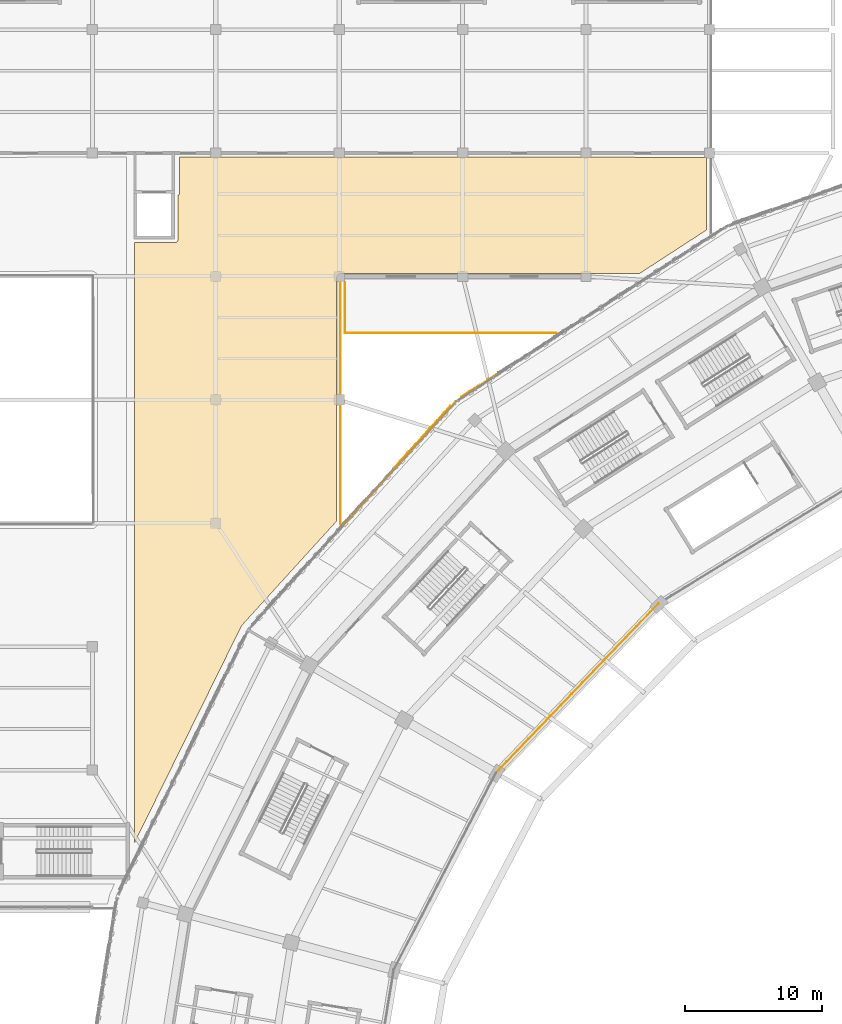
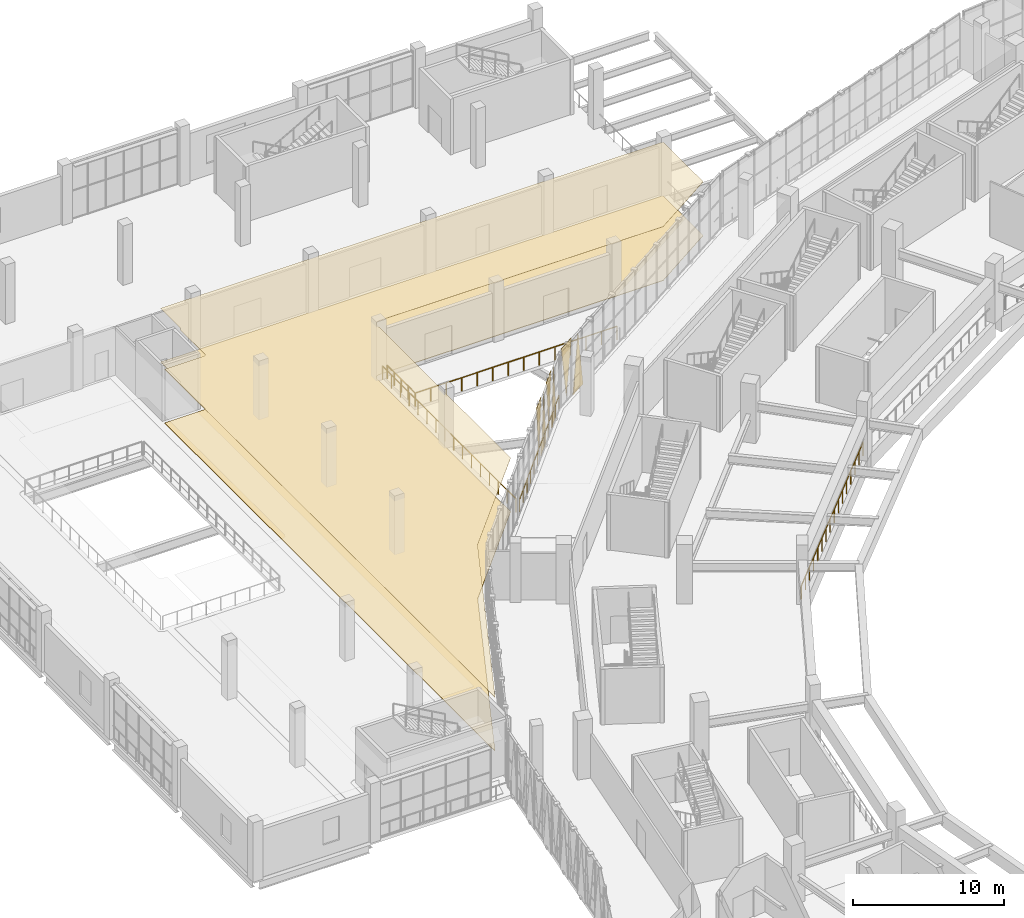
# One storey, part 159 of 179: 8 coverings, 5 railings.
"""IFC4 building model written with IfcOpenShell, lengths in metres."""

from ifc_helpers import new_model, si_unit, direction, frame, origin, origin_2d, place, context, subcontext, project, spatial, polyline, circle, outline, extrude, material, layer, layer_set, type_object, element, save


model = new_model("IFC4")

# Units and contexts
model_context = context("Model", 3, precision=1e-05, world=origin(), true_north=direction((0.0, 1.0)))
body_context = subcontext(model_context, "Body", "Model", "MODEL_VIEW")
ifc_project = project(units=[si_unit("LENGTHUNIT", "METRE"), si_unit("AREAUNIT", "SQUARE_METRE"), si_unit("VOLUMEUNIT", "CUBIC_METRE"), si_unit("PLANEANGLEUNIT", "RADIAN"), si_unit("MASSUNIT", "GRAM", prefix="KILO")], contexts=[model_context])

# Site, building, storey
site_placement = place(None, origin())
site = spatial("IfcSite", under=ifc_project, at=site_placement, CompositionType="ELEMENT")
building_placement = place(site_placement, origin())
building = spatial("IfcBuilding", under=site, at=building_placement, Name="Zevraka Park Crest Stadium", CompositionType="ELEMENT")
storey_placement = place(building_placement, frame((0.0, 0.0, 10.199951171875)))
storey = spatial("IfcBuildingStorey", under=building, at=storey_placement, Name="L02", CompositionType="ELEMENT", Elevation=10.199951171875)

# Coverings
ifc_material_1 = material(Name="Architectural golden-bronze perforated aluminium", Category="aluminium")
ifc_layer_1 = layer(ifc_material_1, 0.034912109375)
ifc_layer_set_1 = layer_set([ifc_layer_1], Name="Architectural golden-bronze perforated aluminium")
covering_type_1 = type_object("IfcCoveringType", Name="CLD01", PredefinedType="CLADDING", material=ifc_layer_set_1)
covering_1_placement = place(storey_placement, frame((47.4990234375, 150.881103515625, -0.239990234375), z_axis=(-0.543209619056, 0.839597111575, 0.0), x_axis=(-0.839597111575, -0.543209619056, 0.0)))
element("IfcCovering", 1, at=covering_1_placement, inside=storey, type_object=covering_type_1, Name="Triangular Golden-Bronze Perforated Cladding L02-08-13", PredefinedType="CLADDING", context=body_context, shape_type="SweptSolid", body=[
    extrude(outline(polyline([(0.0, 0.0), (1.4579863089976983, 0.0), (0.7289931544988492, 4.56005859375), (0.0, 0.0)])), origin(), (0.0, 0.0, -1.0), 0.034912109375),
])
covering_2_placement = place(storey_placement, frame((44.916015625, 149.2099609375, 4.47998046875), z_axis=(0.543285997868, -0.839547690294, 1.5567826e-05), x_axis=(0.839547690396, 0.543285997934, 0.0)))
element("IfcCovering", 2, at=covering_2_placement, inside=storey, type_object=covering_type_1, Name="Triangular Golden-Bronze Perforated Cladding L02-08-14", PredefinedType="CLADDING", context=body_context, shape_type="SweptSolid", body=[
    extrude(outline(polyline([(0.0, 0.0), (1.457781335266565, 1.6940658945086007e-21), (0.7289931514822077, -4.260009766141223), (0.0, 0.0)])), origin(), (0.0, 0.0, -1.0), 0.034912109375),
])
covering_3_placement = place(storey_placement, frame((44.114013671875, 148.530029296875, -0.239990234375), z_axis=(0.739525534257, -0.673128504866, 1.0909637e-05), x_axis=(-0.673128504906, -0.739525534301, 0.0)))
element("IfcCovering", 3, at=covering_3_placement, inside=storey, type_object=covering_type_1, Name="Triangular Golden-Bronze Perforated Cladding L02-09-1", PredefinedType="CLADDING", context=body_context, shape_type="SweptSolid", body=[
    extrude(outline(polyline([(0.0, 0.0), (1.386221890693398, 0.0), (0.6923308987535437, -4.5600585940213705), (0.0, 0.0)])), origin(), (0.0, 0.0, -1.0), 0.034912109375),
])
covering_4_placement = place(storey_placement, frame((42.139892578125, 146.362060546875, 4.47998046875), z_axis=(0.739095042994, -0.673601151618, 7.7207995e-05), x_axis=(0.673601153626, 0.739095045196, 0.0)))
element("IfcCovering", 4, at=covering_4_placement, inside=storey, type_object=covering_type_1, Name="Triangular Golden-Bronze Perforated Cladding L02-09-2", PredefinedType="CLADDING", context=body_context, shape_type="SweptSolid", body=[
    extrude(outline(polyline([(0.0, 0.0), (1.3866989779070185, 0.0), (0.6929886027009718, -4.260009778322117), (0.0, 0.0)])), origin(), (0.0, 0.0, -1.0), 0.034912109375),
])
covering_5_placement = place(storey_placement, frame((42.032958984375, 146.242919921875, -0.239990234375), z_axis=(0.739533396825, -0.67311984499, 0.000171060776), x_axis=(-0.673119854838, -0.739533407645, 0.0)))
element("IfcCovering", 5, at=covering_5_placement, inside=storey, type_object=covering_type_1, Name="Triangular Golden-Bronze Perforated Cladding L02-09-3", PredefinedType="CLADDING", context=body_context, shape_type="SweptSolid", body=[
    extrude(outline(polyline([(0.0, 0.0), (1.3858770045481603, 0.0), (0.6929882417325289, -4.560058660467738), (0.0, 0.0)])), origin(), (0.0, 0.0, -1.0), 0.034912109375),
])
covering_6_placement = place(storey_placement, frame((40.05908203125, 144.074951171875, 4.47998046875), z_axis=(0.739613209913, -0.673032168392, 5.723627e-06), x_axis=(0.673032168403, 0.739613209925, 0.0)))
element("IfcCovering", 6, at=covering_6_placement, inside=storey, type_object=covering_type_1, Name="Triangular Golden-Bronze Perforated Cladding L02-09-4", PredefinedType="CLADDING", context=body_context, shape_type="SweptSolid", body=[
    extrude(outline(polyline([(0.0, 0.0), (1.386057564438635, 0.0), (0.69354610840767, -4.260009765694779), (0.0, 0.0)])), origin(), (0.0, 0.0, -1.0), 0.034912109375),
])
ifc_material_2 = material(Name="Perforated acoustic mineral-fibre suspended ceiling", Category="other")
ifc_layer_2 = layer(ifc_material_2, 0.02490234375)
ifc_layer_set_2 = layer_set([ifc_layer_2], Name="Perforated acoustic mineral-fibre suspended ceiling")
covering_type_2 = type_object("IfcCoveringType", Name="CLG01", PredefinedType="CEILING", material=ifc_layer_set_2)
covering_7_placement = place(storey_placement, frame((0.0, 0.0, 4.360107421875)))
element("IfcCovering", 7, at=covering_7_placement, inside=storey, type_object=covering_type_2, Name="Acoustic Ceiling Community Sports Classroom L02-052", PredefinedType="CEILING", context=body_context, shape_type="SweptSolid", body=[
    extrude(outline(polyline([(21.06591796875, 160.469970703125), (24.030029296875, 160.469970703125), (24.050048828125, 160.470947265625), (24.069091796875, 160.47412109375), (24.087890625, 160.47900390625), (24.10693359375, 160.485107421875), (24.1240234375, 160.493896484375), (24.14111328125, 160.50390625), (24.156982421875, 160.514892578125), (24.1708984375, 160.529052734375), (24.18505859375, 160.54296875), (24.196044921875, 160.55908203125), (24.2060546875, 160.575927734375), (24.215087890625, 160.593017578125), (24.220947265625, 160.612060546875), (24.22607421875, 160.631103515625), (24.22900390625, 160.64990234375), (24.22998046875, 160.669921875), (24.22998046875, 163.905029296875), (24.25, 163.9169921875), (24.26611328125, 163.927001953125), (24.281005859375, 163.93896484375), (24.294921875, 163.951904296875), (24.306884765625, 163.966064453125), (24.318115234375, 163.98193359375), (24.327880859375, 163.998046875), (24.3359375, 164.01611328125), (24.342041015625, 164.033935546875), (24.345947265625, 164.052001953125), (24.34912109375, 164.071044921875), (24.35009765625, 164.090087890625), (24.35009765625, 166.697998046875), (62.76904296875, 166.68896484375), (62.7900390625, 161.388916015625), (57.89404296875, 158.20703125), (36.177001953125, 158.205078125), (36.155029296875, 158.2041015625), (36.133056640625, 158.199951171875), (36.111083984375, 158.194091796875), (35.99609375, 158.154052734375), (35.97802734375, 158.14599609375), (35.9599609375, 158.136962890625), (35.944091796875, 158.1259765625), (35.927978515625, 158.114013671875), (35.9140625, 158.10009765625), (35.902099609375, 158.0849609375), (35.89111328125, 158.068115234375), (35.881103515625, 158.051025390625), (35.81396484375, 157.909912109375), (35.806884765625, 157.89404296875), (35.802001953125, 157.876953125), (35.798095703125, 157.85888671875), (35.7958984375, 157.842041015625), (35.794921875, 157.823974609375), (35.7900390625, 140.135009765625), (28.89599609375, 132.549072265625), (28.884033203125, 132.533935546875), (28.8740234375, 132.51904296875), (28.864990234375, 132.501953125), (21.070068359375, 116.693115234375), (21.06591796875, 160.469970703125)])), origin(), (0.0, 0.0, 1.0), 0.02490234375),
])
ifc_material_3 = material(Name="Honed terrazzo and slip-resistant sports flooring", Category="other")
ifc_layer_3 = layer(ifc_material_3, 0.0400390625)
ifc_layer_set_3 = layer_set([ifc_layer_3], Name="Honed terrazzo and slip-resistant sports flooring")
covering_type_3 = type_object("IfcCoveringType", Name="FLR01", PredefinedType="FLOORING", material=ifc_layer_set_3)
covering_8_placement = place(storey_placement, origin())
element("IfcCovering", 8, at=covering_8_placement, inside=storey, type_object=covering_type_3, Name="Terrazzo Floor Finish Community Sports Classroom L02-052", PredefinedType="FLOORING", context=body_context, shape_type="SweptSolid", body=[
    extrude(outline(polyline([(21.06591796875, 160.469970703125), (24.030029296875, 160.469970703125), (24.050048828125, 160.470947265625), (24.069091796875, 160.47412109375), (24.087890625, 160.47900390625), (24.10693359375, 160.485107421875), (24.1240234375, 160.493896484375), (24.14111328125, 160.50390625), (24.156982421875, 160.514892578125), (24.1708984375, 160.529052734375), (24.18505859375, 160.54296875), (24.196044921875, 160.55908203125), (24.2060546875, 160.575927734375), (24.215087890625, 160.593017578125), (24.220947265625, 160.612060546875), (24.22607421875, 160.631103515625), (24.22900390625, 160.64990234375), (24.22998046875, 160.669921875), (24.22998046875, 163.905029296875), (24.25, 163.9169921875), (24.26611328125, 163.927001953125), (24.281005859375, 163.93896484375), (24.294921875, 163.951904296875), (24.306884765625, 163.966064453125), (24.318115234375, 163.98193359375), (24.327880859375, 163.998046875), (24.3359375, 164.01611328125), (24.342041015625, 164.033935546875), (24.345947265625, 164.052001953125), (24.34912109375, 164.071044921875), (24.35009765625, 164.090087890625), (24.35009765625, 166.697998046875), (62.76904296875, 166.68896484375), (62.7900390625, 161.388916015625), (57.89404296875, 158.20703125), (36.177001953125, 158.205078125), (36.155029296875, 158.2041015625), (36.133056640625, 158.199951171875), (36.111083984375, 158.194091796875), (35.99609375, 158.154052734375), (35.97802734375, 158.14599609375), (35.9599609375, 158.136962890625), (35.944091796875, 158.1259765625), (35.927978515625, 158.114013671875), (35.9140625, 158.10009765625), (35.902099609375, 158.0849609375), (35.89111328125, 158.068115234375), (35.881103515625, 158.051025390625), (35.81396484375, 157.909912109375), (35.806884765625, 157.89404296875), (35.802001953125, 157.876953125), (35.798095703125, 157.85888671875), (35.7958984375, 157.842041015625), (35.794921875, 157.823974609375), (35.7900390625, 140.135009765625), (28.89599609375, 132.549072265625), (28.884033203125, 132.533935546875), (28.8740234375, 132.51904296875), (28.864990234375, 132.501953125), (21.070068359375, 116.693115234375), (21.06591796875, 160.469970703125)])), origin(), (0.0, 0.0, 1.0), 0.0400390625),
])

# Railings
ifc_material_4 = material(Name="Galvanised and bronze-finished steel balustrade", Category="steel")
railing_type = type_object("IfcRailingType", Name="GR01", PredefinedType="GUARDRAIL", material=ifc_material_4)
railing_1_placement = place(storey_placement, frame((59.279052734375, 134.12890625, 0.0)))
element("IfcRailing", 9, at=railing_1_placement, inside=storey, type_object=railing_type, Name="Deck Edge Protection Guardrail GR01 L02-72", PredefinedType="GUARDRAIL", context=body_context, shape_type="SweptSolid", body=[
    extrude(circle(Radius=0.02392578125, at=origin_2d()), frame((0.0, 0.0, 1.076171875), z_axis=(-0.692851993629, -0.721079825625, 0.0), x_axis=(0.721079825625, -0.692851993629, 0.0)), (0.0, 0.0, 1.0), 17.107666015625),
    extrude(circle(Radius=0.02099609375, at=origin_2d()), origin(), (0.0, 0.0, 1.0), 1.052001953125),
    extrude(circle(Radius=0.02099609375, at=origin_2d()), frame((-0.790283203125, -0.822509765625, 0.0)), (0.0, 0.0, 1.0), 1.052001953125),
    extrude(circle(Radius=0.02099609375, at=origin_2d()), frame((-1.580322265625, -1.644775390625, 0.0)), (0.0, 0.0, 1.0), 1.052001953125),
    extrude(circle(Radius=0.02099609375, at=origin_2d()), frame((-2.37060546875, -2.46728515625, 0.0)), (0.0, 0.0, 1.0), 1.052001953125),
    extrude(circle(Radius=0.02099609375, at=origin_2d()), frame((-3.160888671875, -3.28955078125, 0.0)), (0.0, 0.0, 1.0), 1.052001953125),
    extrude(circle(Radius=0.02099609375, at=origin_2d()), frame((-3.950927734375, -4.112060546875, 0.0)), (0.0, 0.0, 1.0), 1.052001953125),
    extrude(circle(Radius=0.02099609375, at=origin_2d()), frame((-4.7412109375, -4.934326171875, 0.0)), (0.0, 0.0, 1.0), 1.052001953125),
    extrude(circle(Radius=0.02099609375, at=origin_2d()), frame((-5.531494140625, -5.7568359375, 0.0)), (0.0, 0.0, 1.0), 1.052001953125),
    extrude(circle(Radius=0.02099609375, at=origin_2d()), frame((-6.321533203125, -6.5791015625, 0.0)), (0.0, 0.0, 1.0), 1.052001953125),
    extrude(circle(Radius=0.02099609375, at=origin_2d()), frame((-7.11181640625, -7.401611328125, 0.0)), (0.0, 0.0, 1.0), 1.052001953125),
    extrude(circle(Radius=0.02099609375, at=origin_2d()), frame((-7.902099609375, -8.223876953125, 0.0)), (0.0, 0.0, 1.0), 1.052001953125),
    extrude(circle(Radius=0.02099609375, at=origin_2d()), frame((-8.692138671875, -9.04638671875, 0.0)), (0.0, 0.0, 1.0), 1.052001953125),
    extrude(circle(Radius=0.02099609375, at=origin_2d()), frame((-9.482421875, -9.86865234375, 0.0)), (0.0, 0.0, 1.0), 1.052001953125),
    extrude(circle(Radius=0.02099609375, at=origin_2d()), frame((-10.272705078125, -10.691162109375, 0.0)), (0.0, 0.0, 1.0), 1.052001953125),
    extrude(circle(Radius=0.02099609375, at=origin_2d()), frame((-11.062744140625, -11.513427734375, 0.0)), (0.0, 0.0, 1.0), 1.052001953125),
    extrude(circle(Radius=0.02099609375, at=origin_2d()), frame((-11.85302734375, -12.3359375, 0.0)), (0.0, 0.0, 1.0), 1.052001953125),
])
railing_2_placement = place(storey_placement, frame((36.10498046875, 157.64697265625, 0.0)))
element("IfcRailing", 10, at=railing_2_placement, inside=storey, type_object=railing_type, Name="Deck Edge Protection Guardrail GR01 L02-80", PredefinedType="GUARDRAIL", context=body_context, shape_type="SweptSolid", body=[
    extrude(circle(Radius=0.02392578125, at=origin_2d()), frame((0.0, 0.0, 1.076171875), z_axis=(0.0, -1.0, 0.0), x_axis=(1.0, 0.0, 0.0)), (0.0, 0.0, 1.0), 17.68408203125),
    extrude(circle(Radius=0.02099609375, at=origin_2d()), origin(), (0.0, 0.0, 1.0), 1.052001953125),
    extrude(circle(Radius=0.02099609375, at=origin_2d()), frame((0.0, -1.178955078125, 0.0)), (0.0, 0.0, 1.0), 1.052001953125),
    extrude(circle(Radius=0.02099609375, at=origin_2d()), frame((0.0, -2.35791015625, 0.0)), (0.0, 0.0, 1.0), 1.052001953125),
    extrude(circle(Radius=0.02099609375, at=origin_2d()), frame((0.0, -3.536865234375, 0.0)), (0.0, 0.0, 1.0), 1.052001953125),
    extrude(circle(Radius=0.02099609375, at=origin_2d()), frame((0.0, -4.7158203125, 0.0)), (0.0, 0.0, 1.0), 1.052001953125),
    extrude(circle(Radius=0.02099609375, at=origin_2d()), frame((0.0, -5.894775390625, 0.0)), (0.0, 0.0, 1.0), 1.052001953125),
    extrude(circle(Radius=0.02099609375, at=origin_2d()), frame((0.0, -7.07373046875, 0.0)), (0.0, 0.0, 1.0), 1.052001953125),
    extrude(circle(Radius=0.02099609375, at=origin_2d()), frame((0.0, -8.252685546875, 0.0)), (0.0, 0.0, 1.0), 1.052001953125),
    extrude(circle(Radius=0.02099609375, at=origin_2d()), frame((0.0, -9.431396484375, 0.0)), (0.0, 0.0, 1.0), 1.052001953125),
    extrude(circle(Radius=0.02099609375, at=origin_2d()), frame((0.0, -10.6103515625, 0.0)), (0.0, 0.0, 1.0), 1.052001953125),
    extrude(circle(Radius=0.02099609375, at=origin_2d()), frame((0.0, -11.789306640625, 0.0)), (0.0, 0.0, 1.0), 1.052001953125),
    extrude(circle(Radius=0.02099609375, at=origin_2d()), frame((0.0, -12.96826171875, 0.0)), (0.0, 0.0, 1.0), 1.052001953125),
    extrude(circle(Radius=0.02099609375, at=origin_2d()), frame((0.0, -14.147216796875, 0.0)), (0.0, 0.0, 1.0), 1.052001953125),
    extrude(circle(Radius=0.02099609375, at=origin_2d()), frame((0.0, -15.326171875, 0.0)), (0.0, 0.0, 1.0), 1.052001953125),
    extrude(circle(Radius=0.02099609375, at=origin_2d()), frame((0.0, -16.505126953125, 0.0)), (0.0, 0.0, 1.0), 1.052001953125),
    extrude(circle(Radius=0.02099609375, at=origin_2d()), frame((0.0, -17.68408203125, 0.0)), (0.0, 0.0, 1.0), 1.052001953125),
])
railing_3_placement = place(storey_placement, frame((36.3310546875, 139.8759765625, 0.0)))
element("IfcRailing", 11, at=railing_3_placement, inside=storey, type_object=railing_type, Name="Deck Edge Protection Guardrail GR01 L02-81", PredefinedType="GUARDRAIL", context=body_context, shape_type="SweptSolid", body=[
    extrude(circle(Radius=0.02392578125, at=origin_2d()), frame((0.0, 0.0, 1.076171875), z_axis=(0.673192276193, 0.739467483581, 0.0), x_axis=(-0.739467483581, 0.673192276193, 0.0)), (0.0, 0.0, 1.0), 12.159912109375),
    extrude(circle(Radius=0.02099609375, at=origin_2d()), origin(), (0.0, 0.0, 1.0), 1.052001953125),
    extrude(circle(Radius=0.02099609375, at=origin_2d()), frame((0.744140625, 0.8173828125, 0.0)), (0.0, 0.0, 1.0), 1.052001953125),
    extrude(circle(Radius=0.02099609375, at=origin_2d()), frame((1.48828125, 1.635009765625, 0.0)), (0.0, 0.0, 1.0), 1.052001953125),
    extrude(circle(Radius=0.02099609375, at=origin_2d()), frame((2.232666015625, 2.452392578125, 0.0)), (0.0, 0.0, 1.0), 1.052001953125),
    extrude(circle(Radius=0.02099609375, at=origin_2d()), frame((2.976806640625, 3.269775390625, 0.0)), (0.0, 0.0, 1.0), 1.052001953125),
    extrude(circle(Radius=0.02099609375, at=origin_2d()), frame((3.720947265625, 4.087158203125, 0.0)), (0.0, 0.0, 1.0), 1.052001953125),
    extrude(circle(Radius=0.02099609375, at=origin_2d()), frame((4.465087890625, 4.90478515625, 0.0)), (0.0, 0.0, 1.0), 1.052001953125),
    extrude(circle(Radius=0.02099609375, at=origin_2d()), frame((5.209228515625, 5.72216796875, 0.0)), (0.0, 0.0, 1.0), 1.052001953125),
    extrude(circle(Radius=0.02099609375, at=origin_2d()), frame((5.953369140625, 6.53955078125, 0.0)), (0.0, 0.0, 1.0), 1.052001953125),
    extrude(circle(Radius=0.02099609375, at=origin_2d()), frame((6.69775390625, 7.35693359375, 0.0)), (0.0, 0.0, 1.0), 1.052001953125),
    extrude(circle(Radius=0.02099609375, at=origin_2d()), frame((7.44189453125, 8.174560546875, 0.0)), (0.0, 0.0, 1.0), 1.052001953125),
    extrude(circle(Radius=0.02099609375, at=origin_2d()), frame((8.18603515625, 8.991943359375, 0.0)), (0.0, 0.0, 1.0), 1.052001953125),
])
railing_4_placement = place(storey_placement, frame((36.419921875, 153.8701171875, 0.0)))
element("IfcRailing", 12, at=railing_4_placement, inside=storey, type_object=railing_type, Name="Deck Edge Protection Guardrail GR01 L02-86", PredefinedType="GUARDRAIL", context=body_context, shape_type="SweptSolid", body=[
    extrude(circle(Radius=0.02392578125, at=origin_2d()), frame((0.0, 0.0, 1.076171875), z_axis=(0.0, 1.0, 0.0), x_axis=(-1.0, 0.0, 0.0)), (0.0, 0.0, 1.0), 3.699951171875),
    extrude(circle(Radius=0.02099609375, at=origin_2d()), origin(), (0.0, 0.0, 1.0), 1.052001953125),
    extrude(circle(Radius=0.02099609375, at=origin_2d()), frame((0.0, 0.925048828125, 0.0)), (0.0, 0.0, 1.0), 1.052001953125),
    extrude(circle(Radius=0.02099609375, at=origin_2d()), frame((0.0, 1.85009765625, 0.0)), (0.0, 0.0, 1.0), 1.052001953125),
    extrude(circle(Radius=0.02099609375, at=origin_2d()), frame((0.0, 2.77490234375, 0.0)), (0.0, 0.0, 1.0), 1.052001953125),
    extrude(circle(Radius=0.02099609375, at=origin_2d()), frame((0.0, 3.699951171875, 0.0)), (0.0, 0.0, 1.0), 1.052001953125),
])
railing_5_placement = place(storey_placement, frame((51.844970703125, 153.8701171875, 0.0)))
element("IfcRailing", 13, at=railing_5_placement, inside=storey, type_object=railing_type, Name="Deck Edge Protection Guardrail GR01 L02-87", PredefinedType="GUARDRAIL", context=body_context, shape_type="SweptSolid", body=[
    extrude(circle(Radius=0.02392578125, at=origin_2d()), frame((0.0, 0.0, 1.076171875), z_axis=(-1.0, 0.0, 0.0), x_axis=(0.0, -1.0, 0.0)), (0.0, 0.0, 1.0), 15.425048828125),
    extrude(circle(Radius=0.02099609375, at=origin_2d()), origin(), (0.0, 0.0, 1.0), 1.052001953125),
    extrude(circle(Radius=0.02099609375, at=origin_2d()), frame((-1.1865234375, 0.0, 0.0)), (0.0, 0.0, 1.0), 1.052001953125),
    extrude(circle(Radius=0.02099609375, at=origin_2d()), frame((-2.373046875, 0.0, 0.0)), (0.0, 0.0, 1.0), 1.052001953125),
    extrude(circle(Radius=0.02099609375, at=origin_2d()), frame((-3.5595703125, 0.0, 0.0)), (0.0, 0.0, 1.0), 1.052001953125),
    extrude(circle(Radius=0.02099609375, at=origin_2d()), frame((-4.74609375, 0.0, 0.0)), (0.0, 0.0, 1.0), 1.052001953125),
    extrude(circle(Radius=0.02099609375, at=origin_2d()), frame((-5.9326171875, 0.0, 0.0)), (0.0, 0.0, 1.0), 1.052001953125),
    extrude(circle(Radius=0.02099609375, at=origin_2d()), frame((-7.119140625, 0.0, 0.0)), (0.0, 0.0, 1.0), 1.052001953125),
    extrude(circle(Radius=0.02099609375, at=origin_2d()), frame((-8.305908203125, 0.0, 0.0)), (0.0, 0.0, 1.0), 1.052001953125),
    extrude(circle(Radius=0.02099609375, at=origin_2d()), frame((-9.492431640625, 0.0, 0.0)), (0.0, 0.0, 1.0), 1.052001953125),
    extrude(circle(Radius=0.02099609375, at=origin_2d()), frame((-10.678955078125, 0.0, 0.0)), (0.0, 0.0, 1.0), 1.052001953125),
    extrude(circle(Radius=0.02099609375, at=origin_2d()), frame((-11.865478515625, 0.0, 0.0)), (0.0, 0.0, 1.0), 1.052001953125),
    extrude(circle(Radius=0.02099609375, at=origin_2d()), frame((-13.052001953125, 0.0, 0.0)), (0.0, 0.0, 1.0), 1.052001953125),
    extrude(circle(Radius=0.02099609375, at=origin_2d()), frame((-14.238525390625, 0.0, 0.0)), (0.0, 0.0, 1.0), 1.052001953125),
    extrude(circle(Radius=0.02099609375, at=origin_2d()), frame((-15.425048828125, 0.0, 0.0)), (0.0, 0.0, 1.0), 1.052001953125),
])

save(model, "model.ifc")
